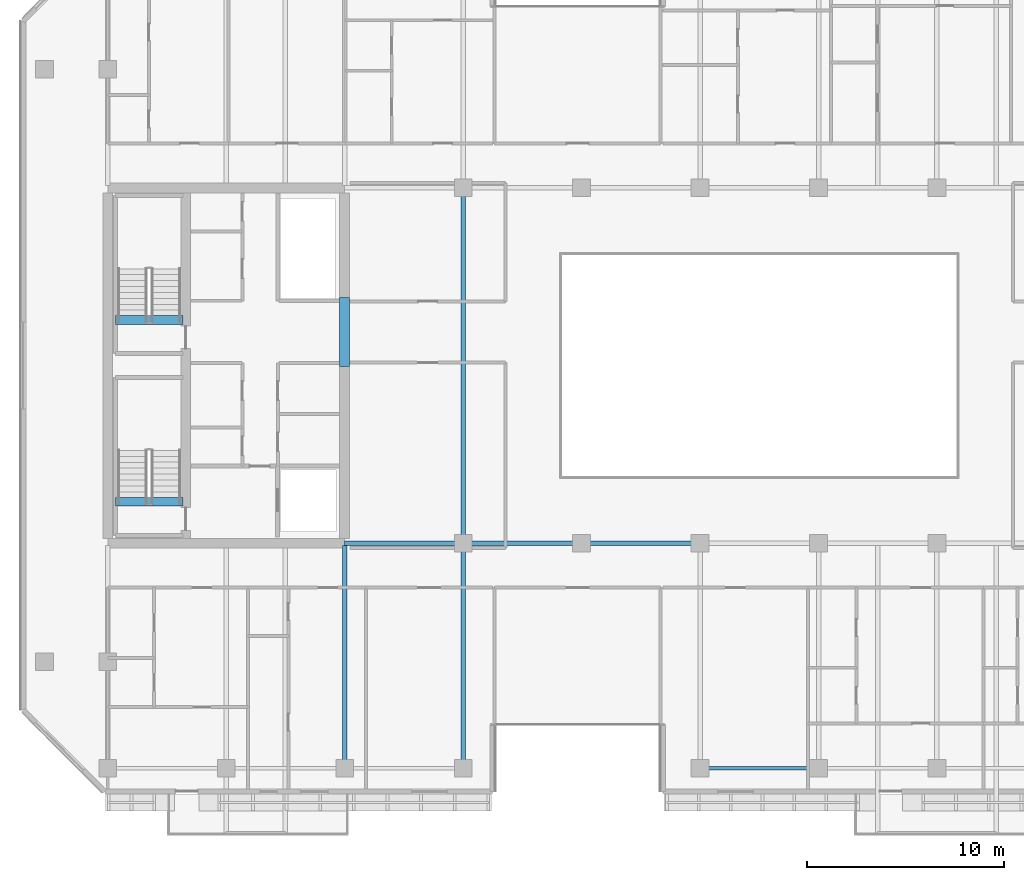
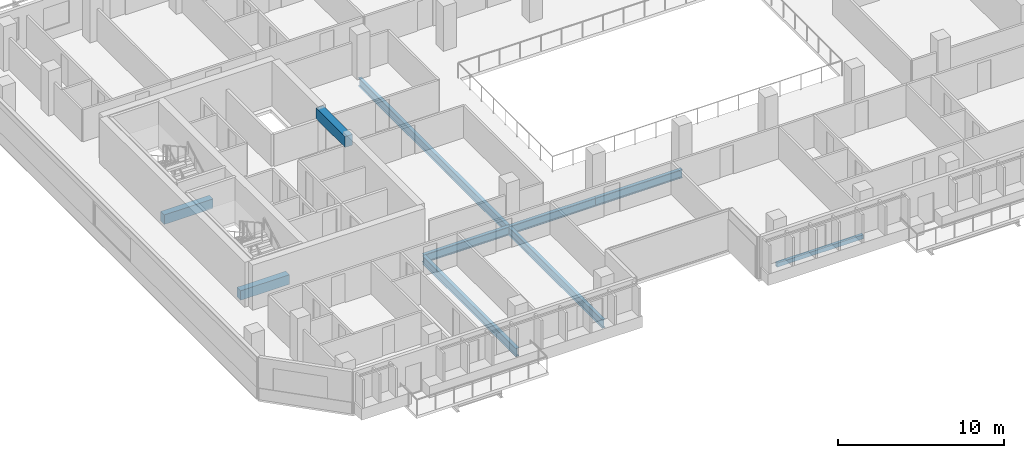
# One storey, part 3 of 20: 10 beams.
"""IFC4 building model written with IfcOpenShell, lengths in metres."""

from ifc_helpers import new_model, si_unit, direction, frame, origin, origin_2d, place, context, subcontext, project, spatial, rectangle, hollow_rectangle, i_section, extrude, material, material_profile, profile_set, type_object, element, save


model = new_model("IFC4")

# Units and contexts
model_context = context("Model", 3, precision=1e-05, world=origin(), true_north=direction((0.0, 1.0)))
body_context = subcontext(model_context, "Body", "Model", "MODEL_VIEW")
ifc_project = project(units=[si_unit("LENGTHUNIT", "METRE"), si_unit("AREAUNIT", "SQUARE_METRE"), si_unit("VOLUMEUNIT", "CUBIC_METRE"), si_unit("PLANEANGLEUNIT", "RADIAN"), si_unit("MASSUNIT", "GRAM", prefix="KILO")], contexts=[model_context])

# Site, building, storey
site_placement = place(None, origin())
site = spatial("IfcSite", under=ifc_project, at=site_placement, CompositionType="ELEMENT")
building_placement = place(site_placement, origin())
building = spatial("IfcBuilding", under=site, at=building_placement, Name="Tanjung Sevakor Pilgrim Tower", CompositionType="ELEMENT")
storey_placement = place(building_placement, frame((0.0, 0.0, 141.89990234375)))
storey = spatial("IfcBuildingStorey", under=building, at=storey_placement, Name="L39", CompositionType="ELEMENT", Elevation=141.89990234375)

# Beams
ifc_material_1 = material(Name="Steel S355J2", Category="steel")
ifc_material_profile_1 = material_profile(ifc_material_1, i_section(OverallWidth=0.230224609375, OverallDepth=0.6171875, WebThickness=0.01318359375, FlangeThickness=0.022216796875, FilletRadius=0.0126953125, at=origin_2d()))
ifc_profile_set_1 = profile_set([ifc_material_profile_1], Name="Steel S355J2")
beam_type_1 = type_object("IfcBeamType", Name="BM-B-G3-UB_610x229x140", PredefinedType="BEAM", material=ifc_profile_set_1)
for number, where, z_axis, x_axis, name in (
    (1, (36.0, 24.60009765625, -0.528564453125), (1.0, 0.0, 0.0), (0.0, 1.0, 0.0), "L39 Primary Floor Girder MAIN Y246-01"),
    (2, (42.0, 24.60009765625, -0.528564453125), (1.0, 0.0, 0.0), (0.0, 1.0, 0.0), "L39 Primary Floor Girder MAIN Y246-02"),
    (3, (48.0, 24.60009765625, -0.528564453125), (1.0, 0.0, 0.0), (0.0, 1.0, 0.0), "L39 Primary Floor Girder MAIN Y246-03"),
):
    element("IfcBeam", number, at=place(storey_placement, frame(where, z_axis=z_axis, x_axis=x_axis)), inside=storey, type_object=beam_type_1, Name=name, PredefinedType="BEAM", context=body_context, shape_type="SweptSolid", body=[
        extrude(i_section(OverallWidth=0.230224609375, OverallDepth=0.6171875, WebThickness=0.01318359375, FlangeThickness=0.022216796875, FilletRadius=0.0126953125, at=origin_2d()), origin(), (0.0, 0.0, 1.0), 6.0),
    ])
ifc_material_2 = material(Name="Steel S355J2", Category="steel")
ifc_material_profile_2 = material_profile(ifc_material_2, i_section(OverallWidth=0.22900390625, OverallDepth=0.6123046875, WebThickness=0.011962890625, FlangeThickness=0.01953125, FilletRadius=0.0126953125, at=origin_2d()))
ifc_profile_set_2 = profile_set([ifc_material_profile_2], Name="Steel S355J2")
beam_type_2 = type_object("IfcBeamType", Name="BM-B-G4-UB_610x229x125", PredefinedType="BEAM", material=ifc_profile_set_2)
beam_1_placement = place(storey_placement, frame((36.0, 13.199951171875, -0.526123046875), z_axis=(0.0, 1.0, 0.0), x_axis=(-1.0, 0.0, 0.0)))
element("IfcBeam", 4, at=beam_1_placement, inside=storey, type_object=beam_type_2, Name="L39 MAIN Girder 003", PredefinedType="BEAM", context=body_context, shape_type="SweptSolid", body=[
    extrude(i_section(OverallWidth=0.22900390625, OverallDepth=0.6123046875, WebThickness=0.011962890625, FlangeThickness=0.01953125, FilletRadius=0.0126953125, at=origin_2d()), origin(), (0.0, 0.0, 1.0), 11.284912109375),
])
beam_2_placement = place(storey_placement, frame((42.0, 13.199951171875, -0.526123046875), z_axis=(0.0, 1.0, 0.0), x_axis=(-1.0, 0.0, 0.0)))
element("IfcBeam", 5, at=beam_2_placement, inside=storey, type_object=beam_type_2, Name="L39 MAIN Girder 005", PredefinedType="BEAM", context=body_context, shape_type="SweptSolid", body=[
    extrude(i_section(OverallWidth=0.22900390625, OverallDepth=0.6123046875, WebThickness=0.011962890625, FlangeThickness=0.01953125, FilletRadius=0.0126953125, at=origin_2d()), origin(), (0.0, 0.0, 1.0), 11.400146484375),
])
beam_3_placement = place(storey_placement, frame((42.0, 24.60009765625, -0.526123046875), z_axis=(0.0, 1.0, 0.0), x_axis=(-1.0, 0.0, 0.0)))
element("IfcBeam", 6, at=beam_3_placement, inside=storey, type_object=beam_type_2, Name="L39 MAIN Girder 006", PredefinedType="BEAM", context=body_context, shape_type="SweptSolid", body=[
    extrude(i_section(OverallWidth=0.22900390625, OverallDepth=0.6123046875, WebThickness=0.011962890625, FlangeThickness=0.01953125, FilletRadius=0.0126953125, at=origin_2d()), origin(), (0.0, 0.0, 1.0), 18.0),
])
ifc_material_3 = material(Name="Concrete C60/75", Category="concrete")
ifc_material_profile_3 = material_profile(ifc_material_3, rectangle(XDim=0.5, YDim=0.800048828125, at=origin_2d()))
ifc_profile_set_3 = profile_set([ifc_material_profile_3], Name="Concrete C60/75")
beam_type_3 = type_object("IfcBeamType", Name="BM-B-LN2-RC-BM_500x800", PredefinedType="LINTEL", material=ifc_profile_set_3)
beam_4_placement = place(storey_placement, frame((36.0, 33.550048828125, 2.68017578125), z_axis=(0.0, 1.0, 0.0), x_axis=(-1.0, 0.0, 0.0)))
element("IfcBeam", 7, at=beam_4_placement, inside=storey, type_object=beam_type_3, Name="L39 W Core Coupling Lintel", PredefinedType="LINTEL", context=body_context, shape_type="SweptSolid", body=[
    extrude(rectangle(XDim=0.5, YDim=0.800048828125, at=origin_2d()), origin(), (0.0, 0.0, 1.0), 3.5),
])
ifc_material_4 = material(Name="Concrete C60/75", Category="concrete")
ifc_material_profile_4 = material_profile(ifc_material_4, rectangle(XDim=0.449951171875, YDim=0.699951171875, at=origin_2d()))
ifc_profile_set_4 = profile_set([ifc_material_profile_4], Name="Concrete C60/75")
beam_type_4 = type_object("IfcBeamType", Name="BM-B-LN3-RC-BM_450x700", PredefinedType="LINTEL", material=ifc_profile_set_4)
for number, where, z_axis, x_axis, name in (
    (8, (24.39990234375, 26.699951171875, -0.349853515625), (1.0, 0.0, 0.0), (0.0, 1.0, 0.0), "L39 TS-W1 Stair Threshold Beam"),
    (9, (24.39990234375, 35.89990234375, -0.349853515625), (1.0, 0.0, 0.0), (0.0, 1.0, 0.0), "L39 TS-W2 Stair Threshold Beam"),
):
    element("IfcBeam", number, at=place(storey_placement, frame(where, z_axis=z_axis, x_axis=x_axis)), inside=storey, type_object=beam_type_4, Name=name, PredefinedType="LINTEL", context=body_context, shape_type="SweptSolid", body=[
        extrude(rectangle(XDim=0.449951171875, YDim=0.699951171875, at=origin_2d()), origin(), (0.0, 0.0, 1.0), 3.400146484375),
    ])
ifc_material_5 = material(Name="Steel S355J2", Category="steel")
ifc_material_profile_5 = material_profile(ifc_material_5, hollow_rectangle(XDim=0.199951171875, YDim=0.300048828125, WallThickness=0.012451171875, at=origin_2d()))
ifc_profile_set_5 = profile_set([ifc_material_profile_5], Name="Steel S355J2")
beam_type_5 = type_object("IfcBeamType", Name="BM-B-SP3-RHS_300x200x12.5", PredefinedType="SPANDREL", material=ifc_profile_set_5)
beam_5_placement = place(storey_placement, frame((54.0, 13.199951171875, -0.369873046875), z_axis=(1.0, 0.0, 0.0), x_axis=(0.0, 1.0, 0.0)))
element("IfcBeam", 10, at=beam_5_placement, inside=storey, type_object=beam_type_5, Name="L39 Spandrel MAIN S-07", PredefinedType="SPANDREL", context=body_context, shape_type="SweptSolid", body=[
    extrude(hollow_rectangle(XDim=0.199951171875, YDim=0.300048828125, WallThickness=0.012451171875, at=origin_2d()), origin(), (0.0, 0.0, 1.0), 6.0),
])

save(model, "model.ifc")
